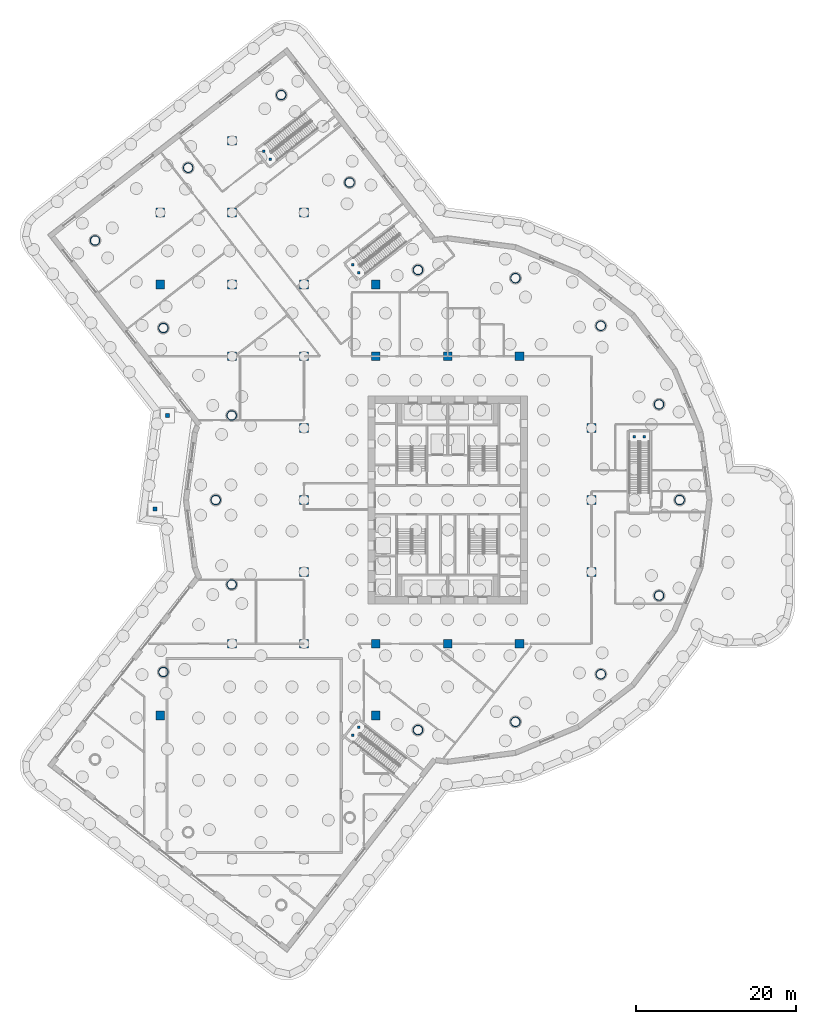
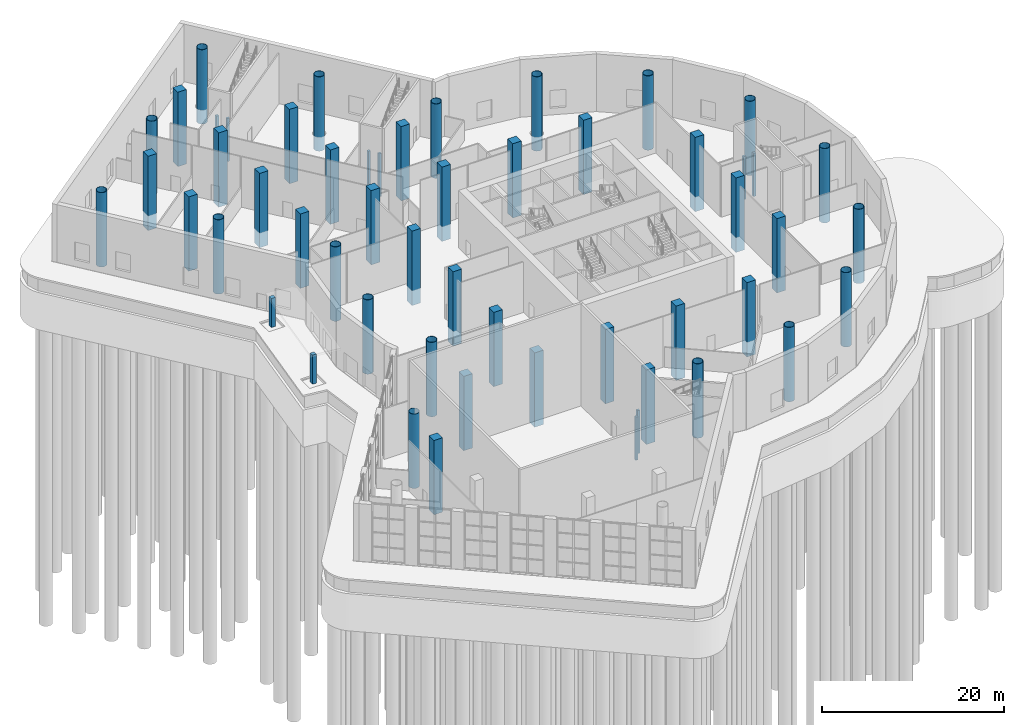
# One storey, part 3 of 34: 54 columns.
"""IFC4 building model written with IfcOpenShell, lengths in metres."""

from ifc_helpers import new_model, si_unit, direction, frame, origin, origin_2d, place, context, subcontext, project, spatial, rectangle, hollow_circle, extrude, material, material_profile, profile_set, type_object, element, save


model = new_model("IFC4")

# Units and contexts
model_context = context("Model", 3, precision=1e-05, world=origin(), true_north=direction((0.0, 1.0)))
body_context = subcontext(model_context, "Body", "Model", "MODEL_VIEW")
ifc_project = project(units=[si_unit("LENGTHUNIT", "METRE"), si_unit("AREAUNIT", "SQUARE_METRE"), si_unit("VOLUMEUNIT", "CUBIC_METRE"), si_unit("PLANEANGLEUNIT", "RADIAN"), si_unit("MASSUNIT", "GRAM", prefix="KILO")], contexts=[model_context])

# Site, building, storey
site_placement = place(None, origin())
site = spatial("IfcSite", under=ifc_project, at=site_placement, CompositionType="ELEMENT")
building_placement = place(site_placement, origin())
building = spatial("IfcBuilding", under=site, at=building_placement, Name="Tarsis Ring Headquarters", CompositionType="ELEMENT")
storey_placement = place(building_placement, origin())
storey = spatial("IfcBuildingStorey", under=building, at=storey_placement, Name="L00", CompositionType="ELEMENT", Elevation=0.0)

# Columns
ifc_material_1 = material(Name="Concrete C60/75", Category="concrete")
ifc_material_profile_1 = material_profile(ifc_material_1, rectangle(XDim=1.10009765625, YDim=1.10009765625, at=origin_2d()), Name="PO-C1100")
ifc_profile_set_1 = profile_set([ifc_material_profile_1], Name="Concrete C60/75")
column_type_1 = type_object("IfcColumnType", Name="PO-C1100", PredefinedType="COLUMN", material=ifc_profile_set_1)
for number, where, z_axis, x_axis, name in (
    (1, (-36.0, -27.0, -2.0), (0.0, 0.0, 1.0), (1.0, 0.0, 0.0), "L00 column 2"),
    (2, (-36.0, 27.0, -2.0), (0.0, 0.0, 1.0), (1.0, 0.0, 0.0), "L00 column 3"),
    (3, (-36.0, 36.0, -2.0), (0.0, 0.0, 1.0), (1.0, 0.0, 0.0), "L00 column 4"),
    (4, (-27.0, -18.0, -2.0), (0.0, 0.0, 1.0), (1.0, 0.0, 0.0), "L00 column 6"),
    (5, (-27.0, 18.0, -2.0), (0.0, 0.0, 1.0), (1.0, 0.0, 0.0), "L00 column 7"),
    (6, (-27.0, 27.0, -2.0), (0.0, 0.0, 1.0), (1.0, 0.0, 0.0), "L00 column 8"),
    (7, (-27.0, 36.0, -2.0), (0.0, 0.0, 1.0), (1.0, 0.0, 0.0), "L00 column 9"),
    (8, (-27.0, 45.0, -2.0), (0.0, 0.0, 1.0), (1.0, 0.0, 0.0), "L00 column 10"),
    (9, (-18.0, -18.0, -2.0), (0.0, 0.0, 1.0), (1.0, 0.0, 0.0), "L00 column 12"),
    (10, (-18.0, -9.0, -2.0), (0.0, 0.0, 1.0), (1.0, 0.0, 0.0), "L00 column 13"),
    (11, (-18.0, 0.0, -2.0), (0.0, 0.0, 1.0), (1.0, 0.0, 0.0), "L00 column 14"),
    (12, (-18.0, 9.0, -2.0), (0.0, 0.0, 1.0), (1.0, 0.0, 0.0), "L00 column 15"),
    (13, (-18.0, 18.0, -2.0), (0.0, 0.0, 1.0), (1.0, 0.0, 0.0), "L00 column 16"),
    (14, (-18.0, 27.0, -2.0), (0.0, 0.0, 1.0), (1.0, 0.0, 0.0), "L00 column 17"),
    (15, (-18.0, 36.0, -2.0), (0.0, 0.0, 1.0), (1.0, 0.0, 0.0), "L00 column 18"),
    (16, (-9.0, -27.0, -2.0), (0.0, 0.0, 1.0), (1.0, 0.0, 0.0), "L00 column 19"),
    (17, (-9.0, -18.0, -2.0), (0.0, 0.0, 1.0), (1.0, 0.0, 0.0), "L00 column 20"),
    (18, (-9.0, 18.0, -2.0), (0.0, 0.0, 1.0), (1.0, 0.0, 0.0), "L00 column 21"),
    (19, (-9.0, 27.0, -2.0), (0.0, 0.0, 1.0), (1.0, 0.0, 0.0), "L00 column 22"),
    (20, (0.0, -18.0, -2.0), (0.0, 0.0, 1.0), (1.0, 0.0, 0.0), "L00 column 23"),
    (21, (0.0, 18.0, -2.0), (0.0, 0.0, 1.0), (1.0, 0.0, 0.0), "L00 column 24"),
    (22, (9.0, -18.0, -2.0), (0.0, 0.0, 1.0), (1.0, 0.0, 0.0), "L00 column 25"),
    (23, (9.0, 18.0, -2.0), (0.0, 0.0, 1.0), (1.0, 0.0, 0.0), "L00 column 26"),
    (24, (18.0, -9.0, -2.0), (0.0, 0.0, 1.0), (1.0, 0.0, 0.0), "L00 column 27"),
    (25, (18.0, 0.0, -2.0), (0.0, 0.0, 1.0), (1.0, 0.0, 0.0), "L00 column 28"),
    (26, (18.0, 9.0, -2.0), (0.0, 0.0, 1.0), (1.0, 0.0, 0.0), "L00 column 29"),
):
    element("IfcColumn", number, at=place(storey_placement, frame(where, z_axis=z_axis, x_axis=x_axis)), inside=storey, type_object=column_type_1, Name=name, PredefinedType="COLUMN", context=body_context, shape_type="SweptSolid", body=[
        extrude(rectangle(XDim=1.10009765625, YDim=1.10009765625, at=origin_2d()), origin(), (0.0, 0.0, 1.0), 10.0),
    ])
ifc_material_2 = material(Name="Concrete C40/50", Category="concrete")
ifc_material_profile_2 = material_profile(ifc_material_2, rectangle(XDim=0.5, YDim=0.5, at=origin_2d()), Name="PO-CANC")
ifc_profile_set_2 = profile_set([ifc_material_profile_2], Name="Concrete C40/50")
column_type_2 = type_object("IfcColumnType", Name="PO-CANC", PredefinedType="COLUMN", material=ifc_profile_set_2)
for number, where, z_axis, x_axis, name in (
    (27, (-35.097900390625, 10.571533203125, -0.199951171875), (0.0, 0.0, 1.0), (1.0, 0.0, 0.0), "Canopy column 1"),
    (28, (-36.63818359375, -1.12744140625, -0.199951171875), (0.0, 0.0, 1.0), (1.0, 0.0, 0.0), "Canopy column 2"),
):
    element("IfcColumn", number, at=place(storey_placement, frame(where, z_axis=z_axis, x_axis=x_axis)), inside=storey, type_object=column_type_2, Name=name, PredefinedType="COLUMN", context=body_context, shape_type="SweptSolid", body=[
        extrude(rectangle(XDim=0.5, YDim=0.5, at=origin_2d()), origin(), (0.0, 0.0, 1.0), 3.89990234375),
    ])
ifc_material_profile_3 = material_profile(ifc_material_1, rectangle(XDim=0.300048828125, YDim=0.300048828125, at=origin_2d()), Name="PO-SC300")
ifc_profile_set_3 = profile_set([ifc_material_profile_3], Name="Concrete C60/75")
column_type_3 = type_object("IfcColumnType", Name="PO-SC300", PredefinedType="COLUMN", material=ifc_profile_set_3)
for number, where, z_axis, x_axis, name in (
    (29, (24.637451171875, 7.919921875, -2.0), (0.0, 0.0, 1.0), (1.0, 0.0, 0.0), "Stair landing column PS1.1"),
    (30, (23.362548828125, 7.919921875, -2.0), (0.0, 0.0, 1.0), (1.0, 0.0, 0.0), "Stair landing column PS1.2"),
    (31, (-11.129638671875, -28.466552734375, -2.0), (0.0, 0.0, 1.0), (1.0, 0.0, 0.0), "Stair landing column PS2.1"),
    (32, (-11.914306640625, -29.4716796875, -2.0), (0.0, 0.0, 1.0), (1.0, 0.0, 0.0), "Stair landing column PS2.2"),
    (33, (-11.914306640625, 29.4716796875, -2.0), (0.0, 0.0, 1.0), (1.0, 0.0, 0.0), "Stair landing column PS3.1"),
    (34, (-11.129638671875, 28.466552734375, -2.0), (0.0, 0.0, 1.0), (1.0, 0.0, 0.0), "Stair landing column PS3.2"),
    (35, (-23.01416015625, 43.691650390625, -2.0), (0.0, 0.0, 1.0), (1.0, 0.0, 0.0), "Stair landing column PS4.1"),
    (36, (-22.229736328125, 42.6865234375, -2.0), (0.0, 0.0, 1.0), (1.0, 0.0, 0.0), "Stair landing column PS4.2"),
):
    element("IfcColumn", number, at=place(storey_placement, frame(where, z_axis=z_axis, x_axis=x_axis)), inside=storey, type_object=column_type_3, Name=name, PredefinedType="COLUMN", context=body_context, shape_type="SweptSolid", body=[
        extrude(rectangle(XDim=0.300048828125, YDim=0.300048828125, at=origin_2d()), origin(), (0.0, 0.0, 1.0), 5.800048828125),
    ])
ifc_material_3 = material(Name="Structural steel S460", Category="steel")
ifc_material_profile_4 = material_profile(ifc_material_3, hollow_circle(Radius=0.609619140625, WallThickness=0.050048828125, at=origin_2d()), Name="CHS 1219x50")
ifc_profile_set_4 = profile_set([ifc_material_profile_4], Name="Structural steel S460")
column_type_4 = type_object("IfcColumnType", Name="XC Exo column CHS 1219x50", PredefinedType="COLUMN", material=ifc_profile_set_4)
for number, where, z_axis, x_axis, name in (
    (37, (-29.048583984375, 0.0, -2.0), (0.0, 0.0, 1.0), (1.0, 0.0, 0.0), "Exo column XC1 F1"),
    (38, (-27.05126953125, -10.5849609375, -2.0), (0.0, 0.0, 1.0), (1.0, 0.0, 0.0), "Exo column XC1 AK"),
    (39, (-35.6103515625, -21.5400390625, -2.0), (0.0, 0.0, 1.0), (1.0, 0.0, 0.0), "Exo column XC1 AI1"),
    (40, (-3.726318359375, -28.80859375, -2.0), (0.0, 0.0, 1.0), (1.0, 0.0, 0.0), "Exo column XC1 AJ"),
    (41, (8.479736328125, -27.783203125, -2.0), (0.0, 0.0, 1.0), (1.0, 0.0, 0.0), "Exo column XC1 R1"),
    (42, (19.177734375, -21.818115234375, -2.0), (0.0, 0.0, 1.0), (1.0, 0.0, 0.0), "Exo column XC1 R2"),
    (43, (26.466064453125, -11.9736328125, -2.0), (0.0, 0.0, 1.0), (1.0, 0.0, 0.0), "Exo column XC1 R3"),
    (44, (29.048583984375, 0.0, -2.0), (0.0, 0.0, 1.0), (1.0, 0.0, 0.0), "Exo column XC1 R4"),
    (45, (26.466064453125, 11.9736328125, -2.0), (0.0, 0.0, 1.0), (1.0, 0.0, 0.0), "Exo column XC1 R5"),
    (46, (19.177734375, 21.818115234375, -2.0), (0.0, 0.0, 1.0), (1.0, 0.0, 0.0), "Exo column XC1 R6"),
    (47, (8.479736328125, 27.783203125, -2.0), (0.0, 0.0, 1.0), (1.0, 0.0, 0.0), "Exo column XC1 R7"),
    (48, (-3.726318359375, 28.80859375, -2.0), (0.0, 0.0, 1.0), (1.0, 0.0, 0.0), "Exo column XC1 BJ"),
    (49, (-12.285400390625, 39.763671875, -2.0), (0.0, 0.0, 1.0), (1.0, 0.0, 0.0), "Exo column XC1 BO1"),
    (50, (-20.844482421875, 50.71875, -2.0), (0.0, 0.0, 1.0), (1.0, 0.0, 0.0), "Exo column XC1 BT3"),
    (51, (-32.5068359375, 41.60693359375, -2.0), (0.0, 0.0, 1.0), (1.0, 0.0, 0.0), "Exo column XC1 BT2"),
    (52, (-44.16943359375, 32.4951171875, -2.0), (0.0, 0.0, 1.0), (1.0, 0.0, 0.0), "Exo column XC1 BT1"),
    (53, (-35.6103515625, 21.5400390625, -2.0), (0.0, 0.0, 1.0), (1.0, 0.0, 0.0), "Exo column XC1 BI1"),
    (54, (-27.05126953125, 10.5849609375, -2.0), (0.0, 0.0, 1.0), (1.0, 0.0, 0.0), "Exo column XC1 BK"),
):
    element("IfcColumn", number, at=place(storey_placement, frame(where, z_axis=z_axis, x_axis=x_axis)), inside=storey, type_object=column_type_4, Name=name, PredefinedType="COLUMN", context=body_context, shape_type="SweptSolid", body=[
        extrude(hollow_circle(Radius=0.609619140625, WallThickness=0.050048828125, at=origin_2d()), origin(), (0.0, 0.0, 1.0), 9.999755859375),
    ])

save(model, "model.ifc")
